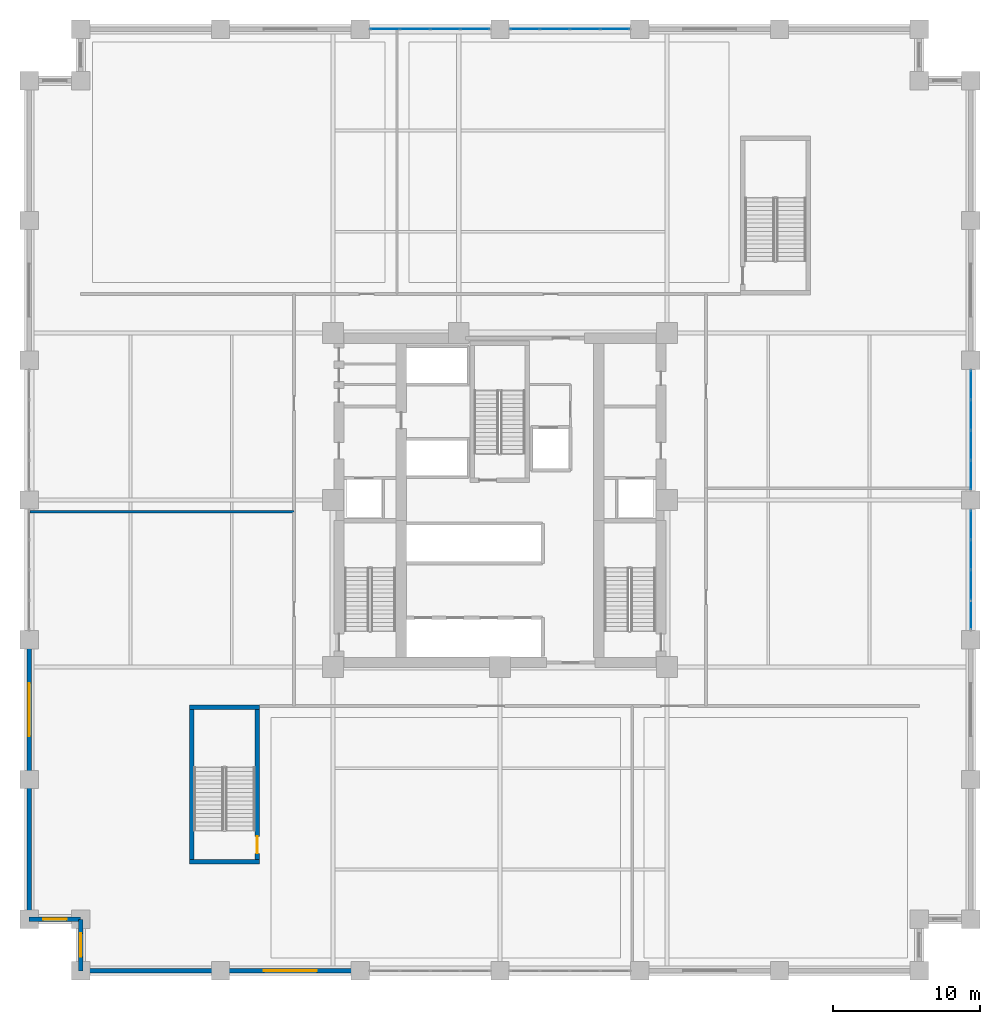
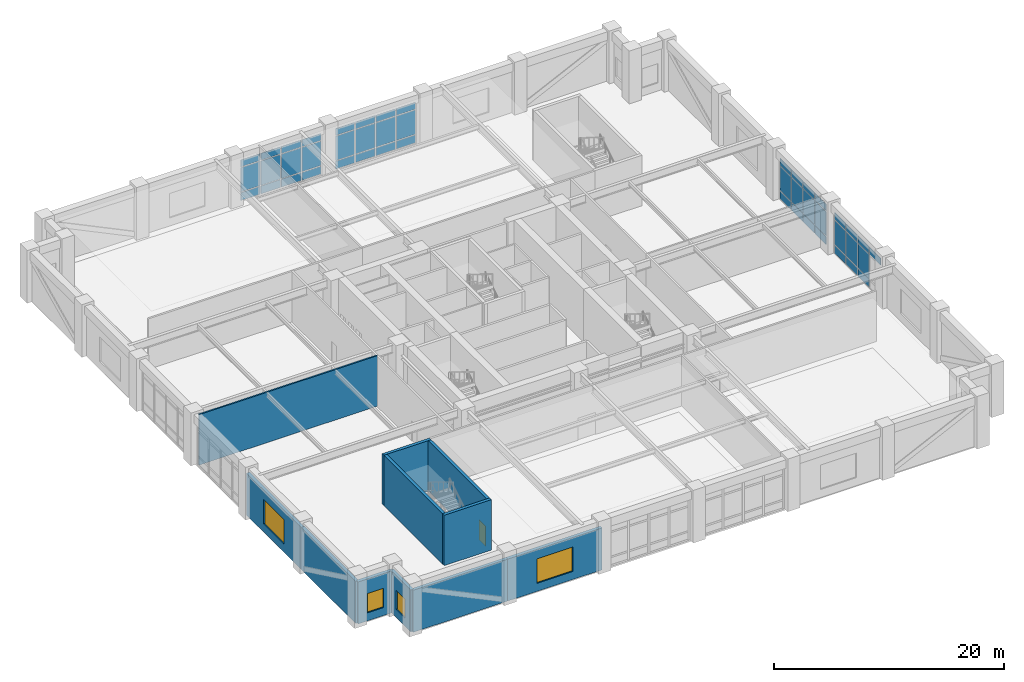
# One storey, part 11 of 21: 46 plates, 11 walls, 4 windows, 1 door, 5 openings, 4 elements without a shape of their own.
"""IFC4 building model written with IfcOpenShell, lengths in metres."""

from ifc_helpers import new_model, si_unit, direction, frame, frame_2d, origin, origin_2d, place, context, subcontext, project, spatial, rectangle, extrude, material, layer, layer_set, type_object, element, fill, aggregate, save


model = new_model("IFC4")

# Units and contexts
model_context = context("Model", 3, precision=1e-05, world=origin(), true_north=direction((0.0, 1.0)))
body_context = subcontext(model_context, "Body", "Model", "MODEL_VIEW")
ifc_project = project(units=[si_unit("LENGTHUNIT", "METRE"), si_unit("AREAUNIT", "SQUARE_METRE"), si_unit("VOLUMEUNIT", "CUBIC_METRE"), si_unit("PLANEANGLEUNIT", "RADIAN"), si_unit("MASSUNIT", "GRAM", prefix="KILO")], contexts=[model_context])

# Site, building, storey
site_placement = place(None, origin())
site = spatial("IfcSite", under=ifc_project, at=site_placement, CompositionType="ELEMENT")
building_placement = place(site_placement, origin())
building = spatial("IfcBuilding", under=site, at=building_placement, Name="Nhamokura Convention Tower", CompositionType="ELEMENT")
storey_placement = place(building_placement, frame((0.0, 0.0, 12.25)))
storey = spatial("IfcBuildingStorey", under=building, at=storey_placement, Name="L02", CompositionType="ELEMENT", Elevation=12.25)

# Curtain wall, plates
ifc_material_1 = material(Name="Anodised bronze aluminium AA6063-T6", Category="aluminium")
ifc_layer_1 = layer(ifc_material_1, 0.199951171875)
ifc_layer_set_1 = layer_set([ifc_layer_1], Name="CWSystem_ConventionFoyer")
curtain_wall_type = type_object("IfcCurtainWallType", Name="CWSystem_ConventionFoyer", PredefinedType="NOTDEFINED", material=ifc_layer_set_1)
curtain_wall_1_placement = place(storey_placement, origin())
curtain_wall_1 = element("IfcCurtainWall", 1, at=curtain_wall_1_placement, inside=storey, type_object=curtain_wall_type, Name="L02 Curtain Wall ENV-L02-CW-N2", PredefinedType="NOTDEFINED")
ifc_material_2 = material(Name="Solar-control bronze low-E double glass", Category="glass")
ifc_layer_2 = layer(ifc_material_2, 0.035888671875)
ifc_layer_set_2 = layer_set([ifc_layer_2], Name="CWGlazedPanel_2")
plate_type = type_object("IfcPlateType", Name="CWGlazedPanel_2", PredefinedType="CURTAIN_PANEL", material=ifc_layer_set_2)
plate_1_placement = place(storey_placement, frame((24.19384765625, 64.0, 0.074951171875), z_axis=(0.0, 0.0, 1.0), x_axis=(1.0, 0.0, 0.0)))
plate_1 = element("IfcPlate", 2, at=plate_1_placement, type_object=plate_type, Name="CW-02 panel 1.1", PredefinedType="CURTAIN_PANEL", context=body_context, shape_type="SweptSolid", body=[
    extrude(rectangle(XDim=1.9375, YDim=0.035888671875, at=origin_2d()), origin(), (0.0, 0.0, 1.0), 0.83740234375),
])
plate_2_placement = place(storey_placement, frame((24.19384765625, 64.0, 0.987548828125), z_axis=(0.0, 0.0, 1.0), x_axis=(1.0, 0.0, 0.0)))
plate_2 = element("IfcPlate", 3, at=plate_2_placement, type_object=plate_type, Name="CW-02 panel 1.2", PredefinedType="CURTAIN_PANEL", context=body_context, shape_type="SweptSolid", body=[
    extrude(rectangle(XDim=1.9375, YDim=0.035888671875, at=origin_2d()), origin(), (0.0, 0.0, 1.0), 2.5849609375),
])
plate_3_placement = place(storey_placement, frame((24.19384765625, 64.0, 3.6474609375), z_axis=(0.0, 0.0, 1.0), x_axis=(1.0, 0.0, 0.0)))
plate_3 = element("IfcPlate", 4, at=plate_3_placement, type_object=plate_type, Name="CW-02 panel 1.3", PredefinedType="CURTAIN_PANEL", context=body_context, shape_type="SweptSolid", body=[
    extrude(rectangle(XDim=1.9375, YDim=0.035888671875, at=origin_2d()), origin(), (0.0, 0.0, 1.0), 0.737548828125),
])
plate_4_placement = place(storey_placement, frame((26.22509765625, 64.0, 0.074951171875), z_axis=(0.0, 0.0, 1.0), x_axis=(1.0, 0.0, 0.0)))
plate_4 = element("IfcPlate", 5, at=plate_4_placement, type_object=plate_type, Name="CW-02 panel 2.1", PredefinedType="CURTAIN_PANEL", context=body_context, shape_type="SweptSolid", body=[
    extrude(rectangle(XDim=1.97509765625, YDim=0.035888671875, at=origin_2d()), origin(), (0.0, 0.0, 1.0), 0.83740234375),
])
plate_5_placement = place(storey_placement, frame((26.22509765625, 64.0, 0.987548828125), z_axis=(0.0, 0.0, 1.0), x_axis=(1.0, 0.0, 0.0)))
plate_5 = element("IfcPlate", 6, at=plate_5_placement, type_object=plate_type, Name="CW-02 panel 2.2", PredefinedType="CURTAIN_PANEL", context=body_context, shape_type="SweptSolid", body=[
    extrude(rectangle(XDim=1.97509765625, YDim=0.035888671875, at=origin_2d()), origin(), (0.0, 0.0, 1.0), 2.5849609375),
])
plate_6_placement = place(storey_placement, frame((26.22509765625, 64.0, 3.6474609375), z_axis=(0.0, 0.0, 1.0), x_axis=(1.0, 0.0, 0.0)))
plate_6 = element("IfcPlate", 7, at=plate_6_placement, type_object=plate_type, Name="CW-02 panel 2.3", PredefinedType="CURTAIN_PANEL", context=body_context, shape_type="SweptSolid", body=[
    extrude(rectangle(XDim=1.97509765625, YDim=0.035888671875, at=origin_2d()), origin(), (0.0, 0.0, 1.0), 0.737548828125),
])
plate_7_placement = place(storey_placement, frame((28.27490234375, 64.0, 0.074951171875), z_axis=(0.0, 0.0, 1.0), x_axis=(1.0, 0.0, 0.0)))
plate_7 = element("IfcPlate", 8, at=plate_7_placement, type_object=plate_type, Name="CW-02 panel 3.1", PredefinedType="CURTAIN_PANEL", context=body_context, shape_type="SweptSolid", body=[
    extrude(rectangle(XDim=1.97509765625, YDim=0.035888671875, at=origin_2d()), origin(), (0.0, 0.0, 1.0), 0.83740234375),
])
plate_8_placement = place(storey_placement, frame((28.27490234375, 64.0, 0.987548828125), z_axis=(0.0, 0.0, 1.0), x_axis=(1.0, 0.0, 0.0)))
plate_8 = element("IfcPlate", 9, at=plate_8_placement, type_object=plate_type, Name="CW-02 panel 3.2", PredefinedType="CURTAIN_PANEL", context=body_context, shape_type="SweptSolid", body=[
    extrude(rectangle(XDim=1.97509765625, YDim=0.035888671875, at=origin_2d()), origin(), (0.0, 0.0, 1.0), 2.5849609375),
])
plate_9_placement = place(storey_placement, frame((28.27490234375, 64.0, 3.6474609375), z_axis=(0.0, 0.0, 1.0), x_axis=(1.0, 0.0, 0.0)))
plate_9 = element("IfcPlate", 10, at=plate_9_placement, type_object=plate_type, Name="CW-02 panel 3.3", PredefinedType="CURTAIN_PANEL", context=body_context, shape_type="SweptSolid", body=[
    extrude(rectangle(XDim=1.97509765625, YDim=0.035888671875, at=origin_2d()), origin(), (0.0, 0.0, 1.0), 0.737548828125),
])
plate_10_placement = place(storey_placement, frame((30.30615234375, 64.0, 0.074951171875), z_axis=(0.0, 0.0, 1.0), x_axis=(1.0, 0.0, 0.0)))
plate_10 = element("IfcPlate", 11, at=plate_10_placement, type_object=plate_type, Name="CW-02 panel 4.1", PredefinedType="CURTAIN_PANEL", context=body_context, shape_type="SweptSolid", body=[
    extrude(rectangle(XDim=1.9375, YDim=0.035888671875, at=origin_2d()), origin(), (0.0, 0.0, 1.0), 0.83740234375),
])
plate_11_placement = place(storey_placement, frame((30.30615234375, 64.0, 0.987548828125), z_axis=(0.0, 0.0, 1.0), x_axis=(1.0, 0.0, 0.0)))
plate_11 = element("IfcPlate", 12, at=plate_11_placement, type_object=plate_type, Name="CW-02 panel 4.2", PredefinedType="CURTAIN_PANEL", context=body_context, shape_type="SweptSolid", body=[
    extrude(rectangle(XDim=1.9375, YDim=0.035888671875, at=origin_2d()), origin(), (0.0, 0.0, 1.0), 2.5849609375),
])
plate_12_placement = place(storey_placement, frame((30.30615234375, 64.0, 3.6474609375), z_axis=(0.0, 0.0, 1.0), x_axis=(1.0, 0.0, 0.0)))
plate_12 = element("IfcPlate", 13, at=plate_12_placement, type_object=plate_type, Name="CW-02 panel 4.3", PredefinedType="CURTAIN_PANEL", context=body_context, shape_type="SweptSolid", body=[
    extrude(rectangle(XDim=1.9375, YDim=0.035888671875, at=origin_2d()), origin(), (0.0, 0.0, 1.0), 0.737548828125),
])
aggregate(curtain_wall_1, [plate_1, plate_2, plate_3, plate_4, plate_5, plate_6, plate_7, plate_8, plate_9, plate_10, plate_11, plate_12])

curtain_wall_2_placement = place(storey_placement, origin())
curtain_wall_2 = element("IfcCurtainWall", 14, at=curtain_wall_2_placement, inside=storey, type_object=curtain_wall_type, Name="L02 Curtain Wall ENV-L02-CW-N3", PredefinedType="NOTDEFINED")
plate_13_placement = place(storey_placement, frame((33.69384765625, 64.0, 0.074951171875), z_axis=(0.0, 0.0, 1.0), x_axis=(1.0, 0.0, 0.0)))
plate_13 = element("IfcPlate", 15, at=plate_13_placement, type_object=plate_type, Name="CW-02 panel 1.1", PredefinedType="CURTAIN_PANEL", context=body_context, shape_type="SweptSolid", body=[
    extrude(rectangle(XDim=1.9375, YDim=0.035888671875, at=origin_2d()), origin(), (0.0, 0.0, 1.0), 0.83740234375),
])
plate_14_placement = place(storey_placement, frame((33.69384765625, 64.0, 0.987548828125), z_axis=(0.0, 0.0, 1.0), x_axis=(1.0, 0.0, 0.0)))
plate_14 = element("IfcPlate", 16, at=plate_14_placement, type_object=plate_type, Name="CW-02 panel 1.2", PredefinedType="CURTAIN_PANEL", context=body_context, shape_type="SweptSolid", body=[
    extrude(rectangle(XDim=1.9375, YDim=0.035888671875, at=origin_2d()), origin(), (0.0, 0.0, 1.0), 2.5849609375),
])
plate_15_placement = place(storey_placement, frame((33.69384765625, 64.0, 3.6474609375), z_axis=(0.0, 0.0, 1.0), x_axis=(1.0, 0.0, 0.0)))
plate_15 = element("IfcPlate", 17, at=plate_15_placement, type_object=plate_type, Name="CW-02 panel 1.3", PredefinedType="CURTAIN_PANEL", context=body_context, shape_type="SweptSolid", body=[
    extrude(rectangle(XDim=1.9375, YDim=0.035888671875, at=origin_2d()), origin(), (0.0, 0.0, 1.0), 0.737548828125),
])
plate_16_placement = place(storey_placement, frame((35.72509765625, 64.0, 0.074951171875), z_axis=(0.0, 0.0, 1.0), x_axis=(1.0, 0.0, 0.0)))
plate_16 = element("IfcPlate", 18, at=plate_16_placement, type_object=plate_type, Name="CW-02 panel 2.1", PredefinedType="CURTAIN_PANEL", context=body_context, shape_type="SweptSolid", body=[
    extrude(rectangle(XDim=1.97509765625, YDim=0.035888671875, at=origin_2d()), origin(), (0.0, 0.0, 1.0), 0.83740234375),
])
plate_17_placement = place(storey_placement, frame((35.72509765625, 64.0, 0.987548828125), z_axis=(0.0, 0.0, 1.0), x_axis=(1.0, 0.0, 0.0)))
plate_17 = element("IfcPlate", 19, at=plate_17_placement, type_object=plate_type, Name="CW-02 panel 2.2", PredefinedType="CURTAIN_PANEL", context=body_context, shape_type="SweptSolid", body=[
    extrude(rectangle(XDim=1.97509765625, YDim=0.035888671875, at=origin_2d()), origin(), (0.0, 0.0, 1.0), 2.5849609375),
])
plate_18_placement = place(storey_placement, frame((35.72509765625, 64.0, 3.6474609375), z_axis=(0.0, 0.0, 1.0), x_axis=(1.0, 0.0, 0.0)))
plate_18 = element("IfcPlate", 20, at=plate_18_placement, type_object=plate_type, Name="CW-02 panel 2.3", PredefinedType="CURTAIN_PANEL", context=body_context, shape_type="SweptSolid", body=[
    extrude(rectangle(XDim=1.97509765625, YDim=0.035888671875, at=origin_2d()), origin(), (0.0, 0.0, 1.0), 0.737548828125),
])
plate_19_placement = place(storey_placement, frame((37.77490234375, 64.0, 0.074951171875), z_axis=(0.0, 0.0, 1.0), x_axis=(1.0, 0.0, 0.0)))
plate_19 = element("IfcPlate", 21, at=plate_19_placement, type_object=plate_type, Name="CW-02 panel 3.1", PredefinedType="CURTAIN_PANEL", context=body_context, shape_type="SweptSolid", body=[
    extrude(rectangle(XDim=1.97509765625, YDim=0.035888671875, at=origin_2d()), origin(), (0.0, 0.0, 1.0), 0.83740234375),
])
plate_20_placement = place(storey_placement, frame((37.77490234375, 64.0, 0.987548828125), z_axis=(0.0, 0.0, 1.0), x_axis=(1.0, 0.0, 0.0)))
plate_20 = element("IfcPlate", 22, at=plate_20_placement, type_object=plate_type, Name="CW-02 panel 3.2", PredefinedType="CURTAIN_PANEL", context=body_context, shape_type="SweptSolid", body=[
    extrude(rectangle(XDim=1.97509765625, YDim=0.035888671875, at=origin_2d()), origin(), (0.0, 0.0, 1.0), 2.5849609375),
])
plate_21_placement = place(storey_placement, frame((37.77490234375, 64.0, 3.6474609375), z_axis=(0.0, 0.0, 1.0), x_axis=(1.0, 0.0, 0.0)))
plate_21 = element("IfcPlate", 23, at=plate_21_placement, type_object=plate_type, Name="CW-02 panel 3.3", PredefinedType="CURTAIN_PANEL", context=body_context, shape_type="SweptSolid", body=[
    extrude(rectangle(XDim=1.97509765625, YDim=0.035888671875, at=origin_2d()), origin(), (0.0, 0.0, 1.0), 0.737548828125),
])
plate_22_placement = place(storey_placement, frame((39.80615234375, 64.0, 0.074951171875), z_axis=(0.0, 0.0, 1.0), x_axis=(1.0, 0.0, 0.0)))
plate_22 = element("IfcPlate", 24, at=plate_22_placement, type_object=plate_type, Name="CW-02 panel 4.1", PredefinedType="CURTAIN_PANEL", context=body_context, shape_type="SweptSolid", body=[
    extrude(rectangle(XDim=1.9375, YDim=0.035888671875, at=origin_2d()), origin(), (0.0, 0.0, 1.0), 0.83740234375),
])
plate_23_placement = place(storey_placement, frame((39.80615234375, 64.0, 0.987548828125), z_axis=(0.0, 0.0, 1.0), x_axis=(1.0, 0.0, 0.0)))
plate_23 = element("IfcPlate", 25, at=plate_23_placement, type_object=plate_type, Name="CW-02 panel 4.2", PredefinedType="CURTAIN_PANEL", context=body_context, shape_type="SweptSolid", body=[
    extrude(rectangle(XDim=1.9375, YDim=0.035888671875, at=origin_2d()), origin(), (0.0, 0.0, 1.0), 2.5849609375),
])
plate_24_placement = place(storey_placement, frame((39.80615234375, 64.0, 3.6474609375), z_axis=(0.0, 0.0, 1.0), x_axis=(1.0, 0.0, 0.0)))
plate_24 = element("IfcPlate", 26, at=plate_24_placement, type_object=plate_type, Name="CW-02 panel 4.3", PredefinedType="CURTAIN_PANEL", context=body_context, shape_type="SweptSolid", body=[
    extrude(rectangle(XDim=1.9375, YDim=0.035888671875, at=origin_2d()), origin(), (0.0, 0.0, 1.0), 0.737548828125),
])
aggregate(curtain_wall_2, [plate_13, plate_14, plate_15, plate_16, plate_17, plate_18, plate_19, plate_20, plate_21, plate_22, plate_23, plate_24])

curtain_wall_3_placement = place(storey_placement, origin())
curtain_wall_3 = element("IfcCurtainWall", 27, at=curtain_wall_3_placement, inside=storey, type_object=curtain_wall_type, Name="L02 Curtain Wall ENV-L02-CW-E2", PredefinedType="NOTDEFINED")
plate_25_placement = place(storey_placement, frame((64.0, 30.30615234375, 0.074951171875), z_axis=(0.0, 0.0, 1.0), x_axis=(0.0, -1.0, 0.0)))
plate_25 = element("IfcPlate", 28, at=plate_25_placement, type_object=plate_type, Name="CW-02 panel 1.1", PredefinedType="CURTAIN_PANEL", context=body_context, shape_type="SweptSolid", body=[
    extrude(rectangle(XDim=1.9375, YDim=0.035888671875, at=origin_2d()), origin(), (0.0, 0.0, 1.0), 0.83740234375),
])
plate_26_placement = place(storey_placement, frame((64.0, 30.30615234375, 0.987548828125), z_axis=(0.0, 0.0, 1.0), x_axis=(0.0, -1.0, 0.0)))
plate_26 = element("IfcPlate", 29, at=plate_26_placement, type_object=plate_type, Name="CW-02 panel 1.2", PredefinedType="CURTAIN_PANEL", context=body_context, shape_type="SweptSolid", body=[
    extrude(rectangle(XDim=1.9375, YDim=0.035888671875, at=origin_2d()), origin(), (0.0, 0.0, 1.0), 2.5849609375),
])
plate_27_placement = place(storey_placement, frame((64.0, 30.30615234375, 3.6474609375), z_axis=(0.0, 0.0, 1.0), x_axis=(0.0, -1.0, 0.0)))
plate_27 = element("IfcPlate", 30, at=plate_27_placement, type_object=plate_type, Name="CW-02 panel 1.3", PredefinedType="CURTAIN_PANEL", context=body_context, shape_type="SweptSolid", body=[
    extrude(rectangle(XDim=1.9375, YDim=0.035888671875, at=origin_2d()), origin(), (0.0, 0.0, 1.0), 0.737548828125),
])
plate_28_placement = place(storey_placement, frame((64.0, 28.27490234375, 0.074951171875), z_axis=(0.0, 0.0, 1.0), x_axis=(0.0, -1.0, 0.0)))
plate_28 = element("IfcPlate", 31, at=plate_28_placement, type_object=plate_type, Name="CW-02 panel 2.1", PredefinedType="CURTAIN_PANEL", context=body_context, shape_type="SweptSolid", body=[
    extrude(rectangle(XDim=1.97509765625, YDim=0.035888671875, at=origin_2d()), origin(), (0.0, 0.0, 1.0), 0.83740234375),
])
plate_29_placement = place(storey_placement, frame((64.0, 28.27490234375, 0.987548828125), z_axis=(0.0, 0.0, 1.0), x_axis=(0.0, -1.0, 0.0)))
plate_29 = element("IfcPlate", 32, at=plate_29_placement, type_object=plate_type, Name="CW-02 panel 2.2", PredefinedType="CURTAIN_PANEL", context=body_context, shape_type="SweptSolid", body=[
    extrude(rectangle(XDim=1.97509765625, YDim=0.035888671875, at=origin_2d()), origin(), (0.0, 0.0, 1.0), 2.5849609375),
])
plate_30_placement = place(storey_placement, frame((64.0, 28.27490234375, 3.6474609375), z_axis=(0.0, 0.0, 1.0), x_axis=(0.0, -1.0, 0.0)))
plate_30 = element("IfcPlate", 33, at=plate_30_placement, type_object=plate_type, Name="CW-02 panel 2.3", PredefinedType="CURTAIN_PANEL", context=body_context, shape_type="SweptSolid", body=[
    extrude(rectangle(XDim=1.97509765625, YDim=0.035888671875, at=origin_2d()), origin(), (0.0, 0.0, 1.0), 0.737548828125),
])
plate_31_placement = place(storey_placement, frame((64.0, 26.22509765625, 0.074951171875), z_axis=(0.0, 0.0, 1.0), x_axis=(0.0, -1.0, 0.0)))
plate_31 = element("IfcPlate", 34, at=plate_31_placement, type_object=plate_type, Name="CW-02 panel 3.1", PredefinedType="CURTAIN_PANEL", context=body_context, shape_type="SweptSolid", body=[
    extrude(rectangle(XDim=1.97509765625, YDim=0.035888671875, at=origin_2d()), origin(), (0.0, 0.0, 1.0), 0.83740234375),
])
plate_32_placement = place(storey_placement, frame((64.0, 26.22509765625, 0.987548828125), z_axis=(0.0, 0.0, 1.0), x_axis=(0.0, -1.0, 0.0)))
plate_32 = element("IfcPlate", 35, at=plate_32_placement, type_object=plate_type, Name="CW-02 panel 3.2", PredefinedType="CURTAIN_PANEL", context=body_context, shape_type="SweptSolid", body=[
    extrude(rectangle(XDim=1.97509765625, YDim=0.035888671875, at=origin_2d()), origin(), (0.0, 0.0, 1.0), 2.5849609375),
])
plate_33_placement = place(storey_placement, frame((64.0, 26.22509765625, 3.6474609375), z_axis=(0.0, 0.0, 1.0), x_axis=(0.0, -1.0, 0.0)))
plate_33 = element("IfcPlate", 36, at=plate_33_placement, type_object=plate_type, Name="CW-02 panel 3.3", PredefinedType="CURTAIN_PANEL", context=body_context, shape_type="SweptSolid", body=[
    extrude(rectangle(XDim=1.97509765625, YDim=0.035888671875, at=origin_2d()), origin(), (0.0, 0.0, 1.0), 0.737548828125),
])
plate_34_placement = place(storey_placement, frame((64.0, 24.19384765625, 3.6474609375), z_axis=(0.0, 0.0, 1.0), x_axis=(0.0, -1.0, 0.0)))
plate_34 = element("IfcPlate", 37, at=plate_34_placement, type_object=plate_type, Name="CW-02 panel 4.3", PredefinedType="CURTAIN_PANEL", context=body_context, shape_type="SweptSolid", body=[
    extrude(rectangle(XDim=1.9375, YDim=0.035888671875, at=origin_2d()), origin(), (0.0, 0.0, 1.0), 0.737548828125),
])
aggregate(curtain_wall_3, [plate_25, plate_26, plate_27, plate_28, plate_29, plate_30, plate_31, plate_32, plate_33, plate_34])

curtain_wall_4_placement = place(storey_placement, origin())
curtain_wall_4 = element("IfcCurtainWall", 38, at=curtain_wall_4_placement, inside=storey, type_object=curtain_wall_type, Name="L02 Curtain Wall ENV-L02-CW-E3", PredefinedType="NOTDEFINED")
plate_35_placement = place(storey_placement, frame((64.0, 39.80615234375, 0.074951171875), z_axis=(0.0, 0.0, 1.0), x_axis=(0.0, -1.0, 0.0)))
plate_35 = element("IfcPlate", 39, at=plate_35_placement, type_object=plate_type, Name="CW-02 panel 1.1", PredefinedType="CURTAIN_PANEL", context=body_context, shape_type="SweptSolid", body=[
    extrude(rectangle(XDim=1.9375, YDim=0.035888671875, at=origin_2d()), origin(), (0.0, 0.0, 1.0), 0.83740234375),
])
plate_36_placement = place(storey_placement, frame((64.0, 39.80615234375, 0.987548828125), z_axis=(0.0, 0.0, 1.0), x_axis=(0.0, -1.0, 0.0)))
plate_36 = element("IfcPlate", 40, at=plate_36_placement, type_object=plate_type, Name="CW-02 panel 1.2", PredefinedType="CURTAIN_PANEL", context=body_context, shape_type="SweptSolid", body=[
    extrude(rectangle(XDim=1.9375, YDim=0.035888671875, at=origin_2d()), origin(), (0.0, 0.0, 1.0), 2.5849609375),
])
plate_37_placement = place(storey_placement, frame((64.0, 39.80615234375, 3.6474609375), z_axis=(0.0, 0.0, 1.0), x_axis=(0.0, -1.0, 0.0)))
plate_37 = element("IfcPlate", 41, at=plate_37_placement, type_object=plate_type, Name="CW-02 panel 1.3", PredefinedType="CURTAIN_PANEL", context=body_context, shape_type="SweptSolid", body=[
    extrude(rectangle(XDim=1.9375, YDim=0.035888671875, at=origin_2d()), origin(), (0.0, 0.0, 1.0), 0.737548828125),
])
plate_38_placement = place(storey_placement, frame((64.0, 37.77490234375, 0.074951171875), z_axis=(0.0, 0.0, 1.0), x_axis=(0.0, -1.0, 0.0)))
plate_38 = element("IfcPlate", 42, at=plate_38_placement, type_object=plate_type, Name="CW-02 panel 2.1", PredefinedType="CURTAIN_PANEL", context=body_context, shape_type="SweptSolid", body=[
    extrude(rectangle(XDim=1.97509765625, YDim=0.035888671875, at=origin_2d()), origin(), (0.0, 0.0, 1.0), 0.83740234375),
])
plate_39_placement = place(storey_placement, frame((64.0, 37.77490234375, 0.987548828125), z_axis=(0.0, 0.0, 1.0), x_axis=(0.0, -1.0, 0.0)))
plate_39 = element("IfcPlate", 43, at=plate_39_placement, type_object=plate_type, Name="CW-02 panel 2.2", PredefinedType="CURTAIN_PANEL", context=body_context, shape_type="SweptSolid", body=[
    extrude(rectangle(XDim=1.97509765625, YDim=0.035888671875, at=origin_2d()), origin(), (0.0, 0.0, 1.0), 2.5849609375),
])
plate_40_placement = place(storey_placement, frame((64.0, 37.77490234375, 3.6474609375), z_axis=(0.0, 0.0, 1.0), x_axis=(0.0, -1.0, 0.0)))
plate_40 = element("IfcPlate", 44, at=plate_40_placement, type_object=plate_type, Name="CW-02 panel 2.3", PredefinedType="CURTAIN_PANEL", context=body_context, shape_type="SweptSolid", body=[
    extrude(rectangle(XDim=1.97509765625, YDim=0.035888671875, at=origin_2d()), origin(), (0.0, 0.0, 1.0), 0.737548828125),
])
plate_41_placement = place(storey_placement, frame((64.0, 35.72509765625, 0.074951171875), z_axis=(0.0, 0.0, 1.0), x_axis=(0.0, -1.0, 0.0)))
plate_41 = element("IfcPlate", 45, at=plate_41_placement, type_object=plate_type, Name="CW-02 panel 3.1", PredefinedType="CURTAIN_PANEL", context=body_context, shape_type="SweptSolid", body=[
    extrude(rectangle(XDim=1.97509765625, YDim=0.035888671875, at=origin_2d()), origin(), (0.0, 0.0, 1.0), 0.83740234375),
])
plate_42_placement = place(storey_placement, frame((64.0, 35.72509765625, 0.987548828125), z_axis=(0.0, 0.0, 1.0), x_axis=(0.0, -1.0, 0.0)))
plate_42 = element("IfcPlate", 46, at=plate_42_placement, type_object=plate_type, Name="CW-02 panel 3.2", PredefinedType="CURTAIN_PANEL", context=body_context, shape_type="SweptSolid", body=[
    extrude(rectangle(XDim=1.97509765625, YDim=0.035888671875, at=origin_2d()), origin(), (0.0, 0.0, 1.0), 2.5849609375),
])
plate_43_placement = place(storey_placement, frame((64.0, 35.72509765625, 3.6474609375), z_axis=(0.0, 0.0, 1.0), x_axis=(0.0, -1.0, 0.0)))
plate_43 = element("IfcPlate", 47, at=plate_43_placement, type_object=plate_type, Name="CW-02 panel 3.3", PredefinedType="CURTAIN_PANEL", context=body_context, shape_type="SweptSolid", body=[
    extrude(rectangle(XDim=1.97509765625, YDim=0.035888671875, at=origin_2d()), origin(), (0.0, 0.0, 1.0), 0.737548828125),
])
plate_44_placement = place(storey_placement, frame((64.0, 33.69384765625, 0.074951171875), z_axis=(0.0, 0.0, 1.0), x_axis=(0.0, -1.0, 0.0)))
plate_44 = element("IfcPlate", 48, at=plate_44_placement, type_object=plate_type, Name="CW-02 panel 4.1", PredefinedType="CURTAIN_PANEL", context=body_context, shape_type="SweptSolid", body=[
    extrude(rectangle(XDim=1.9375, YDim=0.035888671875, at=origin_2d()), origin(), (0.0, 0.0, 1.0), 0.83740234375),
])
plate_45_placement = place(storey_placement, frame((64.0, 33.69384765625, 0.987548828125), z_axis=(0.0, 0.0, 1.0), x_axis=(0.0, -1.0, 0.0)))
plate_45 = element("IfcPlate", 49, at=plate_45_placement, type_object=plate_type, Name="CW-02 panel 4.2", PredefinedType="CURTAIN_PANEL", context=body_context, shape_type="SweptSolid", body=[
    extrude(rectangle(XDim=1.9375, YDim=0.035888671875, at=origin_2d()), origin(), (0.0, 0.0, 1.0), 2.5849609375),
])
plate_46_placement = place(storey_placement, frame((64.0, 33.69384765625, 3.6474609375), z_axis=(0.0, 0.0, 1.0), x_axis=(0.0, -1.0, 0.0)))
plate_46 = element("IfcPlate", 50, at=plate_46_placement, type_object=plate_type, Name="CW-02 panel 4.3", PredefinedType="CURTAIN_PANEL", context=body_context, shape_type="SweptSolid", body=[
    extrude(rectangle(XDim=1.9375, YDim=0.035888671875, at=origin_2d()), origin(), (0.0, 0.0, 1.0), 0.737548828125),
])
aggregate(curtain_wall_4, [plate_35, plate_36, plate_37, plate_38, plate_39, plate_40, plate_41, plate_42, plate_43, plate_44, plate_45, plate_46])

# Wall
ifc_material_3 = material(Name="Bronze-pigmented precast concrete C45/55", Category="concrete")
ifc_layer_3 = layer(ifc_material_3, 0.320068359375)
ifc_layer_set_3 = layer_set([ifc_layer_3], Name="BronzePrecastSpandrel_320")
wall_type_1 = type_object("IfcWallType", Name="BronzePrecastSpandrel_320", PredefinedType="USERDEFINED", material=ifc_layer_set_3)
wall_1_placement = place(storey_placement, frame((13.0, 0.0, 0.0), z_axis=(0.0, 0.0, 1.0), x_axis=(-1.0, 0.0, 0.0)))
element("IfcWall", 51, at=wall_1_placement, inside=storey, type_object=wall_type_1, Name="L02 Braced-Bay Precast Wall SOUTH 0", ObjectType="SPANDREL_WALL", PredefinedType="USERDEFINED", context=body_context, shape_type="SweptSolid", body=[
    extrude(rectangle(XDim=9.5, YDim=0.320068359375, at=frame_2d((4.75, 0.0))), origin(), (0.0, 0.0, 1.0), 4.4599609375),
])

# Wall, opening, window
wall_2_placement = place(storey_placement, frame((22.5, 0.0, 0.0), z_axis=(0.0, 0.0, 1.0), x_axis=(-1.0, 0.0, 0.0)))
wall_2 = element("IfcWall", 52, at=wall_2_placement, inside=storey, type_object=wall_type_1, Name="L02 Masonry-Frame Wall SOUTH 1", ObjectType="SPANDREL_WALL", PredefinedType="USERDEFINED", context=body_context, shape_type="SweptSolid", body=[
    extrude(rectangle(XDim=9.5, YDim=0.320068359375, at=frame_2d((4.75, 0.0))), origin(), (0.0, 0.0, 1.0), 4.4599609375),
])
opening_1_placement = place(wall_2_placement, frame((2.949951171875, 0.0, 0.85009765625)))
opening_1 = element("IfcOpeningElement", 53, at=opening_1_placement, cuts=wall_2, Name="Opening W-01", PredefinedType="OPENING", context=body_context, shape_type="SweptSolid", body=[
    extrude(rectangle(XDim=3.60009765625, YDim=2.60009765625, at=frame_2d((1.800048828125, 1.300048828125))), frame((0.0, 0.169921875, 0.0), z_axis=(0.0, -1.0, 0.0), x_axis=(1.0, 0.0, 0.0)), (0.0, 0.0, 1.0), 0.340087890625),
])
ifc_material_4 = material(Name="Solar-control bronze low-E double glass", Category="glass")
window_type_1 = type_object("IfcWindowType", Name="PodiumClerestoryWindow_3600", PartitioningType="TRIPLE_PANEL_VERTICAL", PredefinedType="WINDOW", material=ifc_material_4)
window_1_placement = place(opening_1_placement, origin())
window_1 = element("IfcWindow", 54, at=window_1_placement, inside=storey, type_object=window_type_1, Name="L02 Facade Window SOUTH 1", OverallHeight=2.60009765625, OverallWidth=3.60009765625, PartitioningType="SINGLE_PANEL", PredefinedType="WINDOW", context=body_context, shape_type="SweptSolid", body=[
    extrude(rectangle(XDim=3.60009765625, YDim=2.60009765625, at=frame_2d((1.800048828125, 1.300048828125))), frame((0.0, 0.030029296875, 0.0), z_axis=(0.0, -1.0, 0.0), x_axis=(1.0, 0.0, 0.0)), (0.0, 0.0, 1.0), 0.06005859375),
])
fill(opening_1, window_1)

# Wall
wall_3_placement = place(storey_placement, frame((0.0, 3.5, 0.0), z_axis=(0.0, 0.0, 1.0), x_axis=(0.0, 1.0, 0.0)))
element("IfcWall", 55, at=wall_3_placement, inside=storey, type_object=wall_type_1, Name="L02 Braced-Bay Precast Wall WEST 0", ObjectType="SPANDREL_WALL", PredefinedType="USERDEFINED", context=body_context, shape_type="SweptSolid", body=[
    extrude(rectangle(XDim=9.5, YDim=0.320068359375, at=frame_2d((4.75, 0.0))), origin(), (0.0, 0.0, 1.0), 4.4599609375),
])

# Wall, opening, window
wall_4_placement = place(storey_placement, frame((0.0, 13.0, 0.0), z_axis=(0.0, 0.0, 1.0), x_axis=(0.0, 1.0, 0.0)))
wall_4 = element("IfcWall", 56, at=wall_4_placement, inside=storey, type_object=wall_type_1, Name="L02 Masonry-Frame Wall WEST 1", ObjectType="SPANDREL_WALL", PredefinedType="USERDEFINED", context=body_context, shape_type="SweptSolid", body=[
    extrude(rectangle(XDim=9.5, YDim=0.320068359375, at=frame_2d((4.75, 0.0))), origin(), (0.0, 0.0, 1.0), 4.4599609375),
])
opening_2_placement = place(wall_4_placement, frame((2.949951171875, 0.0, 0.85009765625)))
opening_2 = element("IfcOpeningElement", 57, at=opening_2_placement, cuts=wall_4, Name="Opening W-01", PredefinedType="OPENING", context=body_context, shape_type="SweptSolid", body=[
    extrude(rectangle(XDim=3.60009765625, YDim=2.60009765625, at=frame_2d((1.800048828125, 1.300048828125))), frame((0.0, 0.169921875, 0.0), z_axis=(0.0, -1.0, 0.0), x_axis=(1.0, 0.0, 0.0)), (0.0, 0.0, 1.0), 0.340087890625),
])
window_2_placement = place(opening_2_placement, origin())
window_2 = element("IfcWindow", 58, at=window_2_placement, inside=storey, type_object=window_type_1, Name="L02 Facade Window WEST 1", OverallHeight=2.60009765625, OverallWidth=3.60009765625, PartitioningType="SINGLE_PANEL", PredefinedType="WINDOW", context=body_context, shape_type="SweptSolid", body=[
    extrude(rectangle(XDim=3.60009765625, YDim=2.60009765625, at=frame_2d((1.800048828125, 1.300048828125))), frame((0.0, 0.030029296875, 0.0), z_axis=(0.0, -1.0, 0.0), x_axis=(1.0, 0.0, 0.0)), (0.0, 0.0, 1.0), 0.06005859375),
])
fill(opening_2, window_2)

wall_5_placement = place(storey_placement, frame((3.5, 0.0, 0.0), z_axis=(0.0, 0.0, 1.0), x_axis=(0.0, 1.0, 0.0)))
wall_5 = element("IfcWall", 59, at=wall_5_placement, inside=storey, type_object=wall_type_1, Name="L02 Notched Corner Wall SW1", ObjectType="SPANDREL_WALL", PredefinedType="USERDEFINED", context=body_context, shape_type="SweptSolid", body=[
    extrude(rectangle(XDim=3.5, YDim=0.320068359375, at=frame_2d((1.75, 0.0))), origin(), (0.0, 0.0, 1.0), 4.4599609375),
])
opening_3_placement = place(wall_5_placement, frame((0.949951171875, 0.0, 0.85009765625)))
opening_3 = element("IfcOpeningElement", 60, at=opening_3_placement, cuts=wall_5, Name="Opening W-11", PredefinedType="OPENING", context=body_context, shape_type="SweptSolid", body=[
    extrude(rectangle(XDim=1.60009765625, YDim=2.050048828125, at=frame_2d((0.800048828125, 1.02490234375))), frame((0.0, 0.169921875, 0.0), z_axis=(0.0, -1.0, 0.0), x_axis=(1.0, 0.0, 0.0)), (0.0, 0.0, 1.0), 0.340087890625),
])
ifc_material_5 = material(Name="Solar-control bronze low-E double glass", Category="glass")
window_type_2 = type_object("IfcWindowType", Name="NotchCornerWindow_1600", PartitioningType="SINGLE_PANEL", PredefinedType="WINDOW", material=ifc_material_5)
window_3_placement = place(opening_3_placement, origin())
window_3 = element("IfcWindow", 61, at=window_3_placement, inside=storey, type_object=window_type_2, Name="L02 Notched Corner Window SW1", OverallHeight=2.050048828125, OverallWidth=1.60009765625, PartitioningType="SINGLE_PANEL", PredefinedType="WINDOW", context=body_context, shape_type="SweptSolid", body=[
    extrude(rectangle(XDim=1.60009765625, YDim=2.050048828125, at=frame_2d((0.800048828125, 1.02490234375))), frame((0.0, 0.030029296875, 0.0), z_axis=(0.0, -1.0, 0.0), x_axis=(1.0, 0.0, 0.0)), (0.0, 0.0, 1.0), 0.06005859375),
])
fill(opening_3, window_3)

wall_6_placement = place(storey_placement, frame((3.5, 3.5, 0.0), z_axis=(0.0, 0.0, 1.0), x_axis=(-1.0, 0.0, 0.0)))
wall_6 = element("IfcWall", 62, at=wall_6_placement, inside=storey, type_object=wall_type_1, Name="L02 Notched Corner Wall SW2", ObjectType="SPANDREL_WALL", PredefinedType="USERDEFINED", context=body_context, shape_type="SweptSolid", body=[
    extrude(rectangle(XDim=3.5, YDim=0.320068359375, at=frame_2d((1.75, 0.0))), origin(), (0.0, 0.0, 1.0), 4.4599609375),
])
opening_4_placement = place(wall_6_placement, frame((0.949951171875, 0.0, 0.85009765625)))
opening_4 = element("IfcOpeningElement", 63, at=opening_4_placement, cuts=wall_6, Name="Opening W-11", PredefinedType="OPENING", context=body_context, shape_type="SweptSolid", body=[
    extrude(rectangle(XDim=1.60009765625, YDim=2.050048828125, at=frame_2d((0.800048828125, 1.02490234375))), frame((0.0, 0.169921875, 0.0), z_axis=(0.0, -1.0, 0.0), x_axis=(1.0, 0.0, 0.0)), (0.0, 0.0, 1.0), 0.340087890625),
])
window_4_placement = place(opening_4_placement, origin())
window_4 = element("IfcWindow", 64, at=window_4_placement, inside=storey, type_object=window_type_2, Name="L02 Notched Corner Window SW2", OverallHeight=2.050048828125, OverallWidth=1.60009765625, PartitioningType="SINGLE_PANEL", PredefinedType="WINDOW", context=body_context, shape_type="SweptSolid", body=[
    extrude(rectangle(XDim=1.60009765625, YDim=2.050048828125, at=frame_2d((0.800048828125, 1.02490234375))), frame((0.0, 0.030029296875, 0.0), z_axis=(0.0, -1.0, 0.0), x_axis=(1.0, 0.0, 0.0)), (0.0, 0.0, 1.0), 0.06005859375),
])
fill(opening_4, window_4)

# Walls
ifc_material_6 = material(Name="Acoustic gypsum stud partition", Category="masonry")
ifc_layer_4 = layer(ifc_material_6, 0.14990234375)
ifc_layer_set_4 = layer_set([ifc_layer_4], Name="InteriorPartition_150")
wall_type_2 = type_object("IfcWallType", Name="InteriorPartition_150", PredefinedType="STANDARD", material=ifc_layer_set_4)
wall_7_placement = place(storey_placement, frame((0.06005859375, 31.199951171875, 0.0), z_axis=(0.0, 0.0, 1.0), x_axis=(1.0, 0.0, 0.0)))
element("IfcWall", 65, at=wall_7_placement, inside=storey, type_object=wall_type_2, Name="L02 Wall INT-L02-RW-W01", PredefinedType="STANDARD", context=body_context, shape_type="SweptSolid", body=[
    extrude(rectangle(XDim=17.93994140625, YDim=0.14990234375, at=frame_2d((8.969970703125, 0.0))), origin(), (0.0, 0.0, 1.0), 5.360107421875),
])
ifc_material_7 = material(Name="Concrete C50/60", Category="concrete")
ifc_layer_5 = layer(ifc_material_7, 0.300048828125)
ifc_layer_set_5 = layer_set([ifc_layer_5], Name="ShaftEnclosureWall_300")
wall_type_3 = type_object("IfcWallType", Name="ShaftEnclosureWall_300", PredefinedType="SHEAR", material=ifc_layer_set_5)
wall_8_placement = place(storey_placement, frame((11.050048828125, 7.39990234375, 0.0), z_axis=(0.0, 0.0, 1.0), x_axis=(0.0, 1.0, 0.0)))
element("IfcWall", 66, at=wall_8_placement, inside=storey, type_object=wall_type_3, Name="L02 Wall INT-L02-ST04-W", PredefinedType="SHEAR", context=body_context, shape_type="SweptSolid", body=[
    extrude(rectangle(XDim=10.5, YDim=0.300048828125, at=frame_2d((5.25, 0.0))), origin(), (0.0, 0.0, 1.0), 5.360107421875),
])

# Wall, opening, door
wall_9_placement = place(storey_placement, frame((15.5, 7.39990234375, 0.0), z_axis=(0.0, 0.0, 1.0), x_axis=(0.0, 1.0, 0.0)))
wall_9 = element("IfcWall", 67, at=wall_9_placement, inside=storey, type_object=wall_type_3, Name="L02 Wall INT-L02-ST04-E", PredefinedType="SHEAR", context=body_context, shape_type="SweptSolid", body=[
    extrude(rectangle(XDim=10.5, YDim=0.300048828125, at=frame_2d((5.25, 0.0))), origin(), (0.0, 0.0, 1.0), 5.360107421875),
])
opening_5_placement = place(wall_9_placement, frame((0.580078125, 0.0, 0.0)))
opening_5 = element("IfcOpeningElement", 68, at=opening_5_placement, cuts=wall_9, Name="Opening D-04", PredefinedType="OPENING", context=body_context, shape_type="SweptSolid", body=[
    extrude(rectangle(XDim=1.14990234375, YDim=2.14990234375, at=frame_2d((0.574951171875, 1.074951171875))), frame((0.0, 0.159912109375, 0.0), z_axis=(0.0, -1.0, 0.0), x_axis=(1.0, 0.0, 0.0)), (0.0, 0.0, 1.0), 0.320068359375),
])
ifc_material_8 = material(Name="Fire-rated steel door", Category="steel")
door_type = type_object("IfcDoorType", Name="StairSmokeDoor_1150", OperationType="NOTDEFINED", PredefinedType="DOOR", material=ifc_material_8)
door_placement = place(opening_5_placement, origin())
door = element("IfcDoor", 69, at=door_placement, inside=storey, type_object=door_type, Name="L02 Stair ST-04 Smoke Door", OperationType="SINGLE_SWING_RIGHT", OverallHeight=2.14990234375, OverallWidth=1.14990234375, PredefinedType="DOOR", context=body_context, shape_type="SweptSolid", body=[
    extrude(rectangle(XDim=1.14990234375, YDim=2.14990234375, at=frame_2d((0.574951171875, 1.074951171875))), frame((0.0, 0.02490234375, 0.0), z_axis=(0.0, -1.0, 0.0), x_axis=(1.0, 0.0, 0.0)), (0.0, 0.0, 1.0), 0.050048828125),
])
fill(opening_5, door)

# Walls
for number, where, z_axis, x_axis, name in (
    (70, (10.89990234375, 7.39990234375, 0.0), (0.0, 0.0, 1.0), (1.0, 0.0, 0.0), "L02 Wall INT-L02-ST04-S"),
    (71, (10.89990234375, 17.89990234375, 0.0), (0.0, 0.0, 1.0), (1.0, 0.0, 0.0), "L02 Wall INT-L02-ST04-N"),
):
    element("IfcWall", number, at=place(storey_placement, frame(where, z_axis=z_axis, x_axis=x_axis)), inside=storey, type_object=wall_type_3, Name=name, PredefinedType="SHEAR", context=body_context, shape_type="SweptSolid", body=[
        extrude(rectangle(XDim=4.75, YDim=0.300048828125, at=frame_2d((2.375, 0.0))), origin(), (0.0, 0.0, 1.0), 5.360107421875),
    ])

save(model, "model.ifc")
